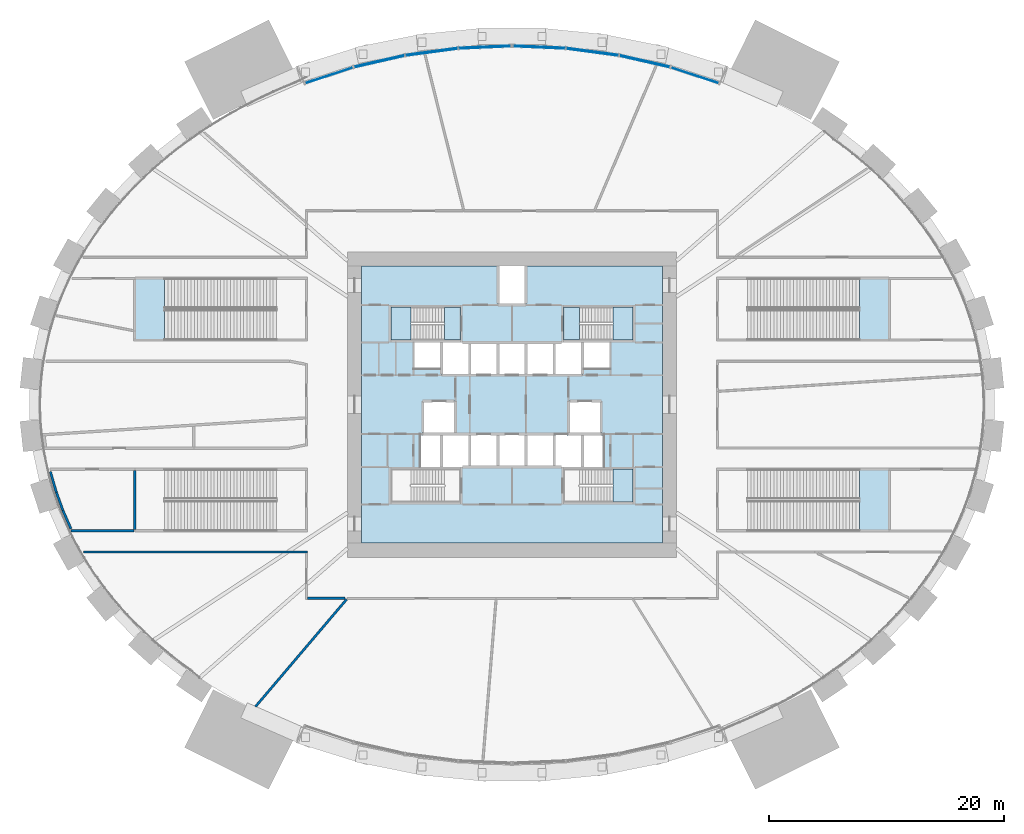
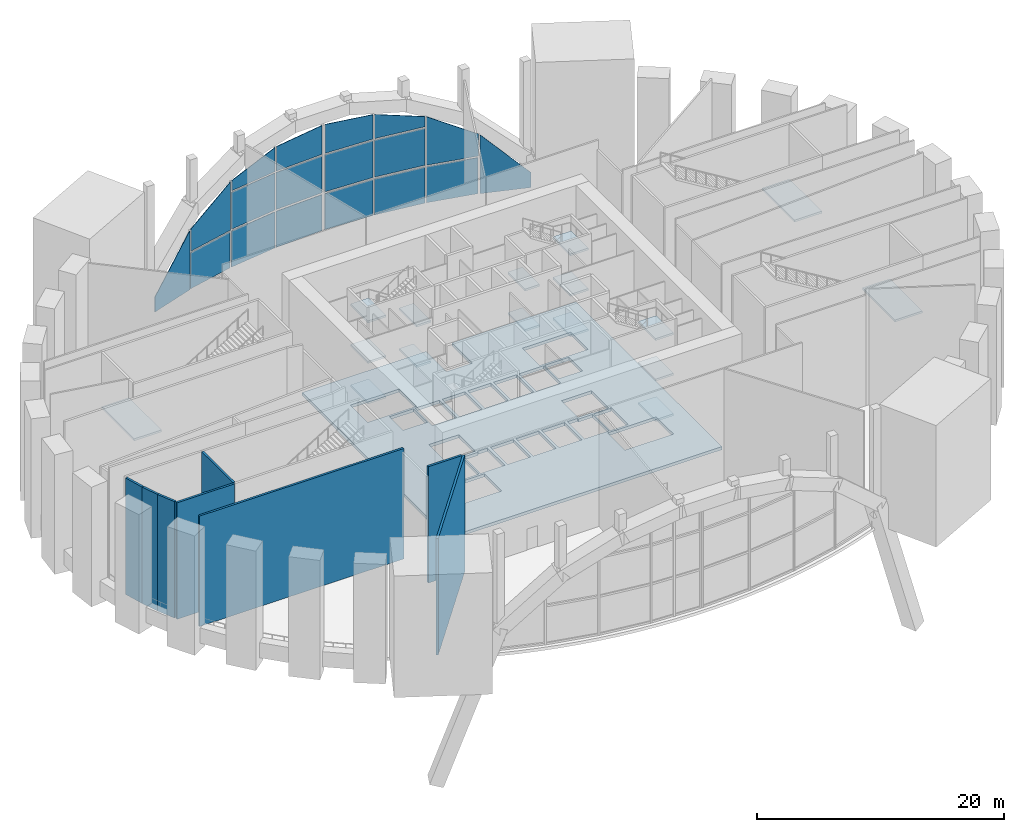
# One storey, part 6 of 21: 18 plates, 17 slabs, 8 walls, 8 elements without a shape of their own.
"""IFC4 building model written with IfcOpenShell, lengths in metres."""

from ifc_helpers import new_model, si_unit, direction, frame, frame_2d, origin, origin_2d, place, context, subcontext, project, spatial, polyline, rectangle, outline, extrude, source, transform, mapped, material, layer, layer_set, type_object, element, aggregate, save


model = new_model("IFC4")

# Units and contexts
model_context = context("Model", 3, precision=1e-05, world=origin(), true_north=direction((0.0, 1.0)))
body_context = subcontext(model_context, "Body", "Model", "MODEL_VIEW")
ifc_project = project(units=[si_unit("LENGTHUNIT", "METRE"), si_unit("AREAUNIT", "SQUARE_METRE"), si_unit("VOLUMEUNIT", "CUBIC_METRE"), si_unit("PLANEANGLEUNIT", "RADIAN"), si_unit("MASSUNIT", "GRAM", prefix="KILO")], contexts=[model_context])

# Site, building, storey
site_placement = place(None, origin())
site = spatial("IfcSite", under=ifc_project, at=site_placement, CompositionType="ELEMENT")
building_placement = place(site_placement, origin())
building = spatial("IfcBuilding", under=site, at=building_placement, Name="Embergate Tower", CompositionType="ELEMENT")
storey_placement = place(building_placement, frame((0.0, 0.0, 12.0)))
storey = spatial("IfcBuildingStorey", under=building, at=storey_placement, Name="L01", CompositionType="ELEMENT", Elevation=12.0)

# Curtain wall, plates
ifc_material_1 = material(Name="Aluminium and glass", Category="aluminium")
curtain_wall_type = type_object("IfcCurtainWallType", Name="Portal infill glazing", PredefinedType="NOTDEFINED", material=ifc_material_1)
curtain_wall_1_placement = place(storey_placement, origin())
curtain_wall_1 = element("IfcCurtainWall", 1, at=curtain_wall_1_placement, inside=storey, type_object=curtain_wall_type, Name="Portal infill glazing N 1", ObjectType="PORTAL INFILL GLAZING", PredefinedType="USERDEFINED")
ifc_material_2 = material(Name="Triple glazing, low-emissivity coating", Category="glass")
ifc_layer_1 = layer(ifc_material_2, 0.0458984375)
ifc_layer_set_1 = layer_set([ifc_layer_1], Name="Triple glazing, low-emissivity coating")
plate_type = type_object("IfcPlateType", Name="Portal glazing unit", PredefinedType="CURTAIN_PANEL", material=ifc_layer_set_1)
shared_shape_1 = source(origin(), body_context, "Body", "SweptSolid", [
    extrude(outline(polyline([(0.0, 0.0), (4.230712890625, 0.0), (4.230712890625, 5.82861328125), (0.0, 1.468994140625), (0.0, 0.0)])), origin(), (0.0, 0.0, -1.0), 0.0458984375),
])
plate_1_placement = place(storey_placement, frame((17.584716796875, 27.391845703125, 0.179931640625), z_axis=(0.311046642239, 0.950394647687, 0.0), x_axis=(-0.950394647687, 0.311046642239, 0.0)))
plate_1 = element("IfcPlate", 2, at=plate_1_placement, type_object=plate_type, Name="CW panel 1.1", PredefinedType="CURTAIN_PANEL", context=body_context, shape_type="MappedRepresentation", body=[
    mapped(shared_shape_1, transform((0.0, 0.0, 0.0))),
])
shared_shape_2 = source(origin(), body_context, "Body", "SweptSolid", [
    extrude(rectangle(XDim=4.37255859375, YDim=0.0458984375, at=origin_2d()), origin(), (0.0, 0.0, 1.0), 3.563232421875),
])
plate_2_placement = place(storey_placement, frame((11.304443359375, 29.25146484375, 0.18017578125), z_axis=(0.0, 0.0, 1.0), x_axis=(-0.975124214151, 0.221659123379, 0.0)))
plate_2 = element("IfcPlate", 3, at=plate_2_placement, type_object=plate_type, Name="CW panel 2.1", PredefinedType="CURTAIN_PANEL", context=body_context, shape_type="MappedRepresentation", body=[
    mapped(shared_shape_2, transform((0.0, 0.0, 0.0))),
])

# Curtain wall, plate
curtain_wall_2_placement = place(storey_placement, origin())
curtain_wall_2 = element("IfcCurtainWall", 4, at=curtain_wall_2_placement, inside=storey, type_object=curtain_wall_type, Name="Portal infill glazing N 2", ObjectType="PORTAL INFILL GLAZING", PredefinedType="USERDEFINED")
plate_3_placement = place(storey_placement, frame((-11.304443359375, 29.25146484375, 0.18017578125), z_axis=(0.0, 0.0, 1.0), x_axis=(-0.975124214151, -0.221659123379, 0.0)))
plate_3 = element("IfcPlate", 5, at=plate_3_placement, type_object=plate_type, Name="CW panel 3.1", PredefinedType="CURTAIN_PANEL", context=body_context, shape_type="MappedRepresentation", body=[
    mapped(shared_shape_2, transform((0.0, 0.0, 0.0))),
])

# Plate
shared_shape_3 = source(origin(), body_context, "Body", "SweptSolid", [
    extrude(outline(polyline([(0.0, 0.0), (4.372802734375, 0.0), (4.372802734375, 4.783447265625), (0.0, 2.187255859375), (0.0, 0.0)])), origin(), (0.0, 0.0, -1.0), 0.0458984375),
])
plate_4_placement = place(storey_placement, frame((13.431396484375, 28.744384765625, 3.92333984375), z_axis=(0.221657301696, 0.975124628242, 0.0), x_axis=(-0.975124628242, 0.221657301696, 0.0)))
plate_4 = element("IfcPlate", 6, at=plate_4_placement, type_object=plate_type, Name="CW panel 2.2", PredefinedType="CURTAIN_PANEL", context=body_context, shape_type="MappedRepresentation", body=[
    mapped(shared_shape_3, transform((0.0, 0.0, 0.0))),
])

shared_shape_4 = source(origin(), body_context, "Body", "SweptSolid", [
    extrude(rectangle(XDim=4.422119140625, YDim=0.0458984375, at=origin_2d()), origin(), (0.0, 0.0, 1.0), 3.563232421875),
])
plate_5_placement = place(storey_placement, frame((6.843505859375, 30.054443359375, 0.18017578125), z_axis=(0.0, 0.0, 1.0), x_axis=(-0.991148472313, 0.132758072563, 0.0)))
plate_5 = element("IfcPlate", 7, at=plate_5_placement, type_object=plate_type, Name="CW panel 3.1", PredefinedType="CURTAIN_PANEL", context=body_context, shape_type="MappedRepresentation", body=[
    mapped(shared_shape_4, transform((0.0, 0.0, 0.0))),
])

plate_6_placement = place(storey_placement, frame((-6.843505859375, 30.054443359375, 0.18017578125), z_axis=(0.0, 0.0, 1.0), x_axis=(-0.991148472313, -0.132758072563, 0.0)))
plate_6 = element("IfcPlate", 8, at=plate_6_placement, type_object=plate_type, Name="CW panel 2.1", PredefinedType="CURTAIN_PANEL", context=body_context, shape_type="MappedRepresentation", body=[
    mapped(shared_shape_4, transform((0.0, 0.0, 0.0))),
])

shared_shape_5 = source(origin(), body_context, "Body", "SweptSolid", [
    extrude(rectangle(XDim=4.422119140625, YDim=0.0458984375, at=origin_2d()), origin(), (0.0, 0.0, 1.0), 3.6533203125),
])
plate_7_placement = place(storey_placement, frame((6.843505859375, 30.054443359375, 3.92333984375), z_axis=(0.0, 0.0, 1.0), x_axis=(-0.991148472313, 0.132758072563, 0.0)))
plate_7 = element("IfcPlate", 9, at=plate_7_placement, type_object=plate_type, Name="CW panel 3.2", PredefinedType="CURTAIN_PANEL", context=body_context, shape_type="MappedRepresentation", body=[
    mapped(shared_shape_5, transform((0.0, 0.0, 0.0))),
])

plate_8_placement = place(storey_placement, frame((-6.843505859375, 30.054443359375, 3.92333984375), z_axis=(0.0, 0.0, 1.0), x_axis=(-0.991148472313, -0.132758072563, 0.0)))
plate_8 = element("IfcPlate", 10, at=plate_8_placement, type_object=plate_type, Name="CW panel 2.2", PredefinedType="CURTAIN_PANEL", context=body_context, shape_type="MappedRepresentation", body=[
    mapped(shared_shape_5, transform((0.0, 0.0, 0.0))),
])

shared_shape_6 = source(origin(), body_context, "Body", "SweptSolid", [
    extrude(outline(polyline([(0.0, 0.0), (4.422119140625, 0.0), (4.422119140625, 2.38671875), (0.0, 1.00439453125), (0.0, 0.0)])), origin(), (0.0, 0.0, -1.0), 0.0458984375),
])
plate_9_placement = place(storey_placement, frame((9.031982421875, 29.738037109375, 7.756591796875), z_axis=(0.13277483845, 0.991146226485, 0.0), x_axis=(-0.991146226485, 0.13277483845, 0.0)))
plate_9 = element("IfcPlate", 11, at=plate_9_placement, type_object=plate_type, Name="CW panel 3.3", PredefinedType="CURTAIN_PANEL", context=body_context, shape_type="MappedRepresentation", body=[
    mapped(shared_shape_6, transform((0.0, 0.0, 0.0))),
])

shared_shape_7 = source(origin(), body_context, "Body", "SweptSolid", [
    extrude(rectangle(XDim=4.377197265625, YDim=0.0458984375, at=origin_2d()), origin(), (0.0, 0.0, 1.0), 3.563232421875),
])
plate_10_placement = place(storey_placement, frame((2.326416015625, 30.45703125, 0.18017578125), z_axis=(0.0, 0.0, 1.0), x_axis=(-0.99902223858, 0.044210483177, 0.0)))
plate_10 = element("IfcPlate", 12, at=plate_10_placement, type_object=plate_type, Name="CW panel 4.1", PredefinedType="CURTAIN_PANEL", context=body_context, shape_type="MappedRepresentation", body=[
    mapped(shared_shape_7, transform((0.0, 0.0, 0.0))),
])

plate_11_placement = place(storey_placement, frame((-2.326416015625, 30.45703125, 0.18017578125), z_axis=(0.0, 0.0, 1.0), x_axis=(-0.99902223858, -0.044210483177, 0.0)))
plate_11 = element("IfcPlate", 13, at=plate_11_placement, type_object=plate_type, Name="CW panel 1.1", PredefinedType="CURTAIN_PANEL", context=body_context, shape_type="MappedRepresentation", body=[
    mapped(shared_shape_7, transform((0.0, 0.0, 0.0))),
])

shared_shape_8 = source(origin(), body_context, "Body", "SweptSolid", [
    extrude(rectangle(XDim=4.377197265625, YDim=0.0458984375, at=origin_2d()), origin(), (0.0, 0.0, 1.0), 3.6533203125),
])
plate_12_placement = place(storey_placement, frame((2.326416015625, 30.45703125, 3.92333984375), z_axis=(0.0, 0.0, 1.0), x_axis=(-0.99902223858, 0.044210483177, 0.0)))
plate_12 = element("IfcPlate", 14, at=plate_12_placement, type_object=plate_type, Name="CW panel 4.2", PredefinedType="CURTAIN_PANEL", context=body_context, shape_type="MappedRepresentation", body=[
    mapped(shared_shape_8, transform((0.0, 0.0, 0.0))),
])

plate_13_placement = place(storey_placement, frame((-2.326416015625, 30.45703125, 3.92333984375), z_axis=(0.0, 0.0, 1.0), x_axis=(-0.99902223858, -0.044210483177, 0.0)))
plate_13 = element("IfcPlate", 15, at=plate_13_placement, type_object=plate_type, Name="CW panel 1.2", PredefinedType="CURTAIN_PANEL", context=body_context, shape_type="MappedRepresentation", body=[
    mapped(shared_shape_8, transform((0.0, 0.0, 0.0))),
])

shared_shape_9 = source(origin(), body_context, "Body", "SweptSolid", [
    extrude(outline(polyline([(0.0, 0.0), (4.377197265625, 0.0), (4.377197265625, 2.8583984375), (0.0, 2.417724609375), (0.0, 0.0)])), origin(), (0.0, 0.0, -1.0), 0.0458984375),
])
plate_14_placement = place(storey_placement, frame((4.51171875, 30.33740234375, 7.756591796875), z_axis=(0.044175469804, 0.999023787438, 0.0), x_axis=(-0.999023787438, 0.044175469804, 0.0)))
plate_14 = element("IfcPlate", 16, at=plate_14_placement, type_object=plate_type, Name="CW panel 4.3", PredefinedType="CURTAIN_PANEL", context=body_context, shape_type="MappedRepresentation", body=[
    mapped(shared_shape_9, transform((0.0, 0.0, 0.0))),
])

aggregate(curtain_wall_1, [plate_1, plate_2, plate_4, plate_5, plate_7, plate_9, plate_10, plate_12, plate_14])

shared_shape_10 = source(origin(), body_context, "Body", "SweptSolid", [
    extrude(outline(polyline([(0.0, 0.0), (4.377197265625, 0.0), (4.377197265625, 2.417724609375), (0.0, 2.8583984375), (0.0, 0.0)])), origin(), (0.0, 0.0, -1.0), 0.0458984375),
])
plate_15_placement = place(storey_placement, frame((-0.138916015625, 30.53076171875, 7.756591796875), z_axis=(-0.044175469804, 0.999023787438, 0.0), x_axis=(-0.999023787438, -0.044175469804, 0.0)))
plate_15 = element("IfcPlate", 17, at=plate_15_placement, type_object=plate_type, Name="CW panel 1.3", PredefinedType="CURTAIN_PANEL", context=body_context, shape_type="MappedRepresentation", body=[
    mapped(shared_shape_10, transform((0.0, 0.0, 0.0))),
])

shared_shape_11 = source(origin(), body_context, "Body", "SweptSolid", [
    extrude(outline(polyline([(0.0, 0.0), (4.422119140625, 0.0), (4.422119140625, 1.00439453125), (0.0, 2.38671875), (0.0, 0.0)])), origin(), (0.0, 0.0, -1.0), 0.0458984375),
])
plate_16_placement = place(storey_placement, frame((-4.64892578125, 30.3251953125, 7.756591796875), z_axis=(-0.13277483845, 0.991146226485, 0.0), x_axis=(-0.991146226485, -0.13277483845, 0.0)))
plate_16 = element("IfcPlate", 18, at=plate_16_placement, type_object=plate_type, Name="CW panel 2.3", PredefinedType="CURTAIN_PANEL", context=body_context, shape_type="MappedRepresentation", body=[
    mapped(shared_shape_11, transform((0.0, 0.0, 0.0))),
])

shared_shape_12 = source(origin(), body_context, "Body", "SweptSolid", [
    extrude(outline(polyline([(0.0, 0.0), (4.372802734375, 0.0), (4.372802734375, 2.187255859375), (0.0, 4.783447265625), (0.0, 0.0)])), origin(), (0.0, 0.0, -1.0), 0.0458984375),
])
plate_17_placement = place(storey_placement, frame((-9.16748046875, 29.713623046875, 3.92333984375), z_axis=(-0.221657301696, 0.975124628242, 0.0), x_axis=(-0.975124628242, -0.221657301696, 0.0)))
plate_17 = element("IfcPlate", 19, at=plate_17_placement, type_object=plate_type, Name="CW panel 3.2", PredefinedType="CURTAIN_PANEL", context=body_context, shape_type="MappedRepresentation", body=[
    mapped(shared_shape_12, transform((0.0, 0.0, 0.0))),
])

shared_shape_13 = source(origin(), body_context, "Body", "SweptSolid", [
    extrude(outline(polyline([(0.0, 0.0), (4.230712890625, 0.0), (4.230712890625, 1.468994140625), (0.0, 5.82861328125), (0.0, 0.0)])), origin(), (0.0, 0.0, -1.0), 0.0458984375),
])
plate_18_placement = place(storey_placement, frame((-13.56396484375, 28.707763671875, 0.179931640625), z_axis=(-0.311046642239, 0.950394647687, 0.0), x_axis=(-0.950394647687, -0.311046642239, 0.0)))
plate_18 = element("IfcPlate", 20, at=plate_18_placement, type_object=plate_type, Name="CW panel 4.1", PredefinedType="CURTAIN_PANEL", context=body_context, shape_type="MappedRepresentation", body=[
    mapped(shared_shape_13, transform((0.0, 0.0, 0.0))),
])

aggregate(curtain_wall_2, [plate_11, plate_13, plate_15, plate_6, plate_8, plate_16, plate_3, plate_17, plate_18])

# Stair, slabs
ifc_material_3 = material(Name="Exit stair")
stair_type_1 = type_object("IfcStairType", Name="Exit stair", PredefinedType="HALF_TURN_STAIR", material=ifc_material_3)
stair_1_placement = place(storey_placement, origin())
stair_1 = element("IfcStair", 21, at=stair_1_placement, inside=storey, type_object=stair_type_1, Name="L01 Exit stair 1", PredefinedType="HALF_TURN_STAIR")
ifc_material_4 = material(Name="Concrete C40", Category="concrete")
ifc_layer_2 = layer(ifc_material_4, 0.199951171875)
ifc_layer_set_2 = layer_set([ifc_layer_2], Name="Concrete C40")
slab_type_1 = type_object("IfcSlabType", Name="Stair landing reinforced concrete", PredefinedType="LANDING", material=ifc_layer_set_2)
shared_shape_14 = source(origin(), body_context, "Body", "SweptSolid", [
    extrude(outline(polyline([(0.0, 0.0), (1.68994140625, 0.0), (1.68994140625, 2.800048828125), (0.0, 2.800048828125), (0.0, 0.0)])), origin(), (0.0, 0.0, 1.0), 0.199951171875),
])
slab_1_placement = place(storey_placement, frame((-10.300048828125, 5.5, 1.800048828125)))
slab_1 = element("IfcSlab", 22, at=slab_1_placement, type_object=slab_type_1, Name="ST1 landing 1", PredefinedType="LANDING", context=body_context, shape_type="MappedRepresentation", body=[
    mapped(shared_shape_14, transform((0.0, 0.0, 0.0))),
])
slab_2_placement = place(storey_placement, frame((-10.300048828125, 5.5, 5.800048828125)))
slab_2 = element("IfcSlab", 23, at=slab_2_placement, type_object=slab_type_1, Name="ST1 landing 3", PredefinedType="LANDING", context=body_context, shape_type="MappedRepresentation", body=[
    mapped(shared_shape_14, transform((0.0, 0.0, 0.0))),
])
slab_3_placement = place(storey_placement, frame((-10.300048828125, 5.5, 9.800048828125)))
slab_3 = element("IfcSlab", 24, at=slab_3_placement, type_object=slab_type_1, Name="ST1 landing 5", PredefinedType="LANDING", context=body_context, shape_type="MappedRepresentation", body=[
    mapped(shared_shape_14, transform((0.0, 0.0, 0.0))),
])

stair_2_placement = place(storey_placement, origin())
stair_2 = element("IfcStair", 25, at=stair_2_placement, inside=storey, type_object=stair_type_1, Name="L01 Exit stair 2", PredefinedType="HALF_TURN_STAIR")
slab_4_placement = place(storey_placement, frame((8.610107421875, 5.5, 1.800048828125)))
slab_4 = element("IfcSlab", 26, at=slab_4_placement, type_object=slab_type_1, Name="ST2 landing 1", PredefinedType="LANDING", context=body_context, shape_type="MappedRepresentation", body=[
    mapped(shared_shape_14, transform((0.0, 0.0, 0.0))),
])
slab_5_placement = place(storey_placement, frame((8.610107421875, 5.5, 5.800048828125)))
slab_5 = element("IfcSlab", 27, at=slab_5_placement, type_object=slab_type_1, Name="ST2 landing 3", PredefinedType="LANDING", context=body_context, shape_type="MappedRepresentation", body=[
    mapped(shared_shape_14, transform((0.0, 0.0, 0.0))),
])
slab_6_placement = place(storey_placement, frame((8.610107421875, 5.5, 9.800048828125)))
slab_6 = element("IfcSlab", 28, at=slab_6_placement, type_object=slab_type_1, Name="ST2 landing 5", PredefinedType="LANDING", context=body_context, shape_type="MappedRepresentation", body=[
    mapped(shared_shape_14, transform((0.0, 0.0, 0.0))),
])

stair_3_placement = place(storey_placement, origin())
stair_3 = element("IfcStair", 29, at=stair_3_placement, inside=storey, type_object=stair_type_1, Name="L01 Exit stair 4", PredefinedType="HALF_TURN_STAIR")
slab_7_placement = place(storey_placement, frame((8.610107421875, -8.300048828125, 1.800048828125)))
slab_7 = element("IfcSlab", 30, at=slab_7_placement, type_object=slab_type_1, Name="ST4 landing 1", PredefinedType="LANDING", context=body_context, shape_type="MappedRepresentation", body=[
    mapped(shared_shape_14, transform((0.0, 0.0, 0.0))),
])
slab_8_placement = place(storey_placement, frame((8.610107421875, -8.300048828125, 5.800048828125)))
slab_8 = element("IfcSlab", 31, at=slab_8_placement, type_object=slab_type_1, Name="ST4 landing 3", PredefinedType="LANDING", context=body_context, shape_type="MappedRepresentation", body=[
    mapped(shared_shape_14, transform((0.0, 0.0, 0.0))),
])
slab_9_placement = place(storey_placement, frame((8.610107421875, -8.300048828125, 9.800048828125)))
slab_9 = element("IfcSlab", 32, at=slab_9_placement, type_object=slab_type_1, Name="ST4 landing 5", PredefinedType="LANDING", context=body_context, shape_type="MappedRepresentation", body=[
    mapped(shared_shape_14, transform((0.0, 0.0, 0.0))),
])
aggregate(stair_3, [slab_7, slab_8, slab_9])

# Slab
shared_shape_15 = source(origin(), body_context, "Body", "SweptSolid", [
    extrude(outline(polyline([(0.0, 0.0), (1.35009765625, 0.0), (1.35009765625, 2.800048828125), (0.0, 2.800048828125), (0.0, 0.0)])), origin(), (0.0, 0.0, 1.0), 0.199951171875),
])
slab_10_placement = place(storey_placement, frame((-5.75, 5.5, 3.800048828125)))
slab_10 = element("IfcSlab", 33, at=slab_10_placement, type_object=slab_type_1, Name="ST1 landing 2", PredefinedType="LANDING", context=body_context, shape_type="MappedRepresentation", body=[
    mapped(shared_shape_15, transform((0.0, 0.0, 0.0))),
])

slab_11_placement = place(storey_placement, frame((-5.75, 5.5, 7.800048828125)))
slab_11 = element("IfcSlab", 34, at=slab_11_placement, type_object=slab_type_1, Name="ST1 landing 4", PredefinedType="LANDING", context=body_context, shape_type="MappedRepresentation", body=[
    mapped(shared_shape_15, transform((0.0, 0.0, 0.0))),
])

aggregate(stair_1, [slab_1, slab_10, slab_2, slab_11, slab_3])

slab_12_placement = place(storey_placement, frame((4.39990234375, 5.5, 3.800048828125)))
slab_12 = element("IfcSlab", 35, at=slab_12_placement, type_object=slab_type_1, Name="ST2 landing 2", PredefinedType="LANDING", context=body_context, shape_type="MappedRepresentation", body=[
    mapped(shared_shape_15, transform((0.0, 0.0, 0.0))),
])

slab_13_placement = place(storey_placement, frame((4.39990234375, 5.5, 7.800048828125)))
slab_13 = element("IfcSlab", 36, at=slab_13_placement, type_object=slab_type_1, Name="ST2 landing 4", PredefinedType="LANDING", context=body_context, shape_type="MappedRepresentation", body=[
    mapped(shared_shape_15, transform((0.0, 0.0, 0.0))),
])

aggregate(stair_2, [slab_4, slab_12, slab_5, slab_13, slab_6])

ifc_layer_3 = layer(ifc_material_4, 0.300048828125)
ifc_layer_set_3 = layer_set([ifc_layer_3], Name="Concrete C40")
slab_type_2 = type_object("IfcSlabType", Name="Core floor slab 300 reinforced concrete", PredefinedType="FLOOR", material=ifc_layer_set_3)
shared_shape_16 = source(origin(), body_context, "Body", "SweptSolid", [
    extrude(outline(polyline([(0.0, 0.0), (25.60009765625, 0.0), (25.60009765625, 23.60009765625), (14.0, 23.60009765625), (14.0, 20.300048828125), (11.60009765625, 20.300048828125), (11.60009765625, 23.60009765625), (0.0, 23.60009765625), (0.0, 0.0)]), holes=[polyline([(2.5, 3.5), (2.5, 6.300048828125), (7.0400390625, 6.300048828125), (7.0400390625, 3.5), (2.5, 3.5)]), polyline([(18.56005859375, 3.5), (18.56005859375, 6.300048828125), (23.10009765625, 6.300048828125), (23.10009765625, 3.5), (18.56005859375, 3.5)]), polyline([(5.0, 6.5), (5.0, 9.300048828125), (5.074951171875, 9.300048828125), (5.074951171875, 9.175048828125), (6.675048828125, 9.175048828125), (6.675048828125, 6.5), (5.0, 6.5)]), polyline([(6.800048828125, 6.5), (6.800048828125, 9.175048828125), (8.125, 9.175048828125), (8.125, 9.300048828125), (9.074951171875, 9.300048828125), (9.074951171875, 6.5), (6.800048828125, 6.5)]), polyline([(9.324951171875, 6.5), (9.324951171875, 9.300048828125), (11.47509765625, 9.300048828125), (11.47509765625, 6.5), (9.324951171875, 6.5)]), polyline([(11.72509765625, 6.5), (11.72509765625, 9.300048828125), (13.875, 9.300048828125), (13.875, 6.5), (11.72509765625, 6.5)]), polyline([(14.125, 6.5), (14.125, 9.300048828125), (16.275146484375, 9.300048828125), (16.275146484375, 6.5), (14.125, 6.5)]), polyline([(16.525146484375, 6.5), (16.525146484375, 9.300048828125), (17.47509765625, 9.300048828125), (17.47509765625, 9.175048828125), (18.800048828125, 9.175048828125), (18.800048828125, 6.5), (16.525146484375, 6.5)]), polyline([(18.925048828125, 6.5), (18.925048828125, 9.175048828125), (20.525146484375, 9.175048828125), (20.525146484375, 9.300048828125), (20.60009765625, 9.300048828125), (20.60009765625, 6.5), (18.925048828125, 6.5)]), polyline([(5.199951171875, 9.300048828125), (5.199951171875, 12.10009765625), (8.0, 12.10009765625), (8.0, 9.425048828125), (6.675048828125, 9.425048828125), (6.675048828125, 9.300048828125), (5.199951171875, 9.300048828125)]), polyline([(18.925048828125, 9.300048828125), (18.925048828125, 9.425048828125), (17.60009765625, 9.425048828125), (17.60009765625, 12.10009765625), (20.400146484375, 12.10009765625), (20.400146484375, 9.300048828125), (18.925048828125, 9.300048828125)]), polyline([(6.800048828125, 14.300048828125), (6.800048828125, 17.10009765625), (9.074951171875, 17.10009765625), (9.074951171875, 14.300048828125), (6.800048828125, 14.300048828125)]), polyline([(9.324951171875, 14.300048828125), (9.324951171875, 17.10009765625), (11.47509765625, 17.10009765625), (11.47509765625, 14.300048828125), (9.324951171875, 14.300048828125)]), polyline([(11.72509765625, 14.300048828125), (11.72509765625, 17.10009765625), (13.875, 17.10009765625), (13.875, 14.300048828125), (11.72509765625, 14.300048828125)]), polyline([(14.125, 14.300048828125), (14.125, 17.10009765625), (16.275146484375, 17.10009765625), (16.275146484375, 14.300048828125), (14.125, 14.300048828125)]), polyline([(16.525146484375, 14.300048828125), (16.525146484375, 17.10009765625), (18.800048828125, 17.10009765625), (18.800048828125, 14.300048828125), (16.525146484375, 14.300048828125)]), polyline([(4.400146484375, 14.900146484375), (4.400146484375, 17.10009765625), (6.675048828125, 17.10009765625), (6.675048828125, 14.900146484375), (4.400146484375, 14.900146484375)]), polyline([(18.925048828125, 14.900146484375), (18.925048828125, 17.10009765625), (21.199951171875, 17.10009765625), (21.199951171875, 14.900146484375), (18.925048828125, 14.900146484375)]), polyline([(2.5, 17.300048828125), (2.5, 20.10009765625), (7.0400390625, 20.10009765625), (7.0400390625, 17.300048828125), (2.5, 17.300048828125)]), polyline([(18.56005859375, 17.300048828125), (18.56005859375, 20.10009765625), (23.10009765625, 20.10009765625), (23.10009765625, 17.300048828125), (18.56005859375, 17.300048828125)])]), origin(), (0.0, 0.0, 1.0), 0.300048828125),
])
slab_14_placement = place(storey_placement, frame((-12.800048828125, -11.800048828125, -0.300048828125)))
element("IfcSlab", 37, at=slab_14_placement, inside=storey, type_object=slab_type_2, Name="Core floor slab", PredefinedType="FLOOR", context=body_context, shape_type="MappedRepresentation", body=[
    mapped(shared_shape_16, transform((0.0, 0.0, 0.0))),
])

# Stair, slab
stair_type_2 = type_object("IfcStairType", Name="Podium exit stair RC", PredefinedType="HALF_TURN_STAIR", material=ifc_material_4)
stair_4_placement = place(storey_placement, origin())
stair_4 = element("IfcStair", 38, at=stair_4_placement, inside=storey, type_object=stair_type_2, Name="L01 Podium exit stair 1", PredefinedType="HALF_TURN_STAIR")
ifc_layer_4 = layer(ifc_material_4, 0.199951171875)
ifc_layer_set_4 = layer_set([ifc_layer_4], Name="Concrete C40")
slab_type_3 = type_object("IfcSlabType", Name="Podium exit stair landing RC", PredefinedType="LANDING", material=ifc_layer_set_4)
shared_shape_17 = source(origin(), body_context, "Body", "SweptSolid", [
    extrude(outline(polyline([(0.0, 0.0), (2.550048828125, 0.0), (2.550048828125, 5.25), (0.0, 5.25), (0.0, 0.0)])), origin(), (0.0, 0.0, 1.0), 0.199951171875),
])
slab_15_placement = place(storey_placement, frame((29.570068359375, 5.5, 5.800048828125)))
slab_15 = element("IfcSlab", 39, at=slab_15_placement, type_object=slab_type_3, Name="P1 landing 1", PredefinedType="LANDING", context=body_context, shape_type="MappedRepresentation", body=[
    mapped(shared_shape_17, transform((0.0, 0.0, 0.0))),
])
aggregate(stair_4, [slab_15])

stair_5_placement = place(storey_placement, origin())
stair_5 = element("IfcStair", 40, at=stair_5_placement, inside=storey, type_object=stair_type_2, Name="L01 Podium exit stair 2", PredefinedType="HALF_TURN_STAIR")
slab_16_placement = place(storey_placement, frame((29.570068359375, -10.75, 5.800048828125)))
slab_16 = element("IfcSlab", 41, at=slab_16_placement, type_object=slab_type_3, Name="P2 landing 1", PredefinedType="LANDING", context=body_context, shape_type="MappedRepresentation", body=[
    mapped(shared_shape_17, transform((0.0, 0.0, 0.0))),
])
aggregate(stair_5, [slab_16])

stair_6_placement = place(storey_placement, origin())
stair_6 = element("IfcStair", 42, at=stair_6_placement, inside=storey, type_object=stair_type_2, Name="L01 Podium exit stair 3", PredefinedType="HALF_TURN_STAIR")
slab_17_placement = place(storey_placement, frame((-32.1201171875, 5.5, 5.800048828125)))
slab_17 = element("IfcSlab", 43, at=slab_17_placement, type_object=slab_type_3, Name="P3 landing 1", PredefinedType="LANDING", context=body_context, shape_type="MappedRepresentation", body=[
    mapped(shared_shape_17, transform((0.0, 0.0, 0.0))),
])
aggregate(stair_6, [slab_17])

# Walls
ifc_material_5 = material(Name="Blockwork, plastered", Category="masonry")
ifc_layer_5 = layer(ifc_material_5, 0.199951171875)
ifc_layer_set_5 = layer_set([ifc_layer_5], Name="Blockwork, plastered")
wall_type_1 = type_object("IfcWallType", Name="Partition wall 200 block", PredefinedType="PARTITIONING", material=ifc_layer_set_5)
shared_shape_18 = source(origin(), body_context, "Body", "SweptSolid", [
    extrude(rectangle(XDim=1.84130859375, YDim=0.199951171875, at=frame_2d((0.920654296875, 0.0))), origin(), (0.0, 0.0, 1.0), 11.5),
])
wall_1_placement = place(storey_placement, frame((-38.7958984375, -7.47412109375, 0.0), z_axis=(0.0, 0.0, 1.0), x_axis=(-0.277504300165, 0.960724395126, 0.0)))
element("IfcWall", 44, at=wall_1_placement, inside=storey, type_object=wall_type_1, Name="Partition 004", PredefinedType="PARTITIONING", context=body_context, shape_type="MappedRepresentation", body=[
    mapped(shared_shape_18, transform((0.0, 0.0, 0.0))),
])
shared_shape_19 = source(origin(), body_context, "Body", "SweptSolid", [
    extrude(rectangle(XDim=1.621826171875, YDim=0.199951171875, at=frame_2d((0.81103515625, 0.0))), origin(), (0.0, 0.0, 1.0), 11.5),
])
wall_2_placement = place(storey_placement, frame((-38.243896484375, -8.992919921875, 0.0), z_axis=(0.0, 0.0, 1.0), x_axis=(-0.340376830197, 0.940289111638, 0.0)))
element("IfcWall", 45, at=wall_2_placement, inside=storey, type_object=wall_type_1, Name="Partition 005", PredefinedType="PARTITIONING", context=body_context, shape_type="MappedRepresentation", body=[
    mapped(shared_shape_19, transform((0.0, 0.0, 0.0))),
])
shared_shape_20 = source(origin(), body_context, "Body", "SweptSolid", [
    extrude(rectangle(XDim=1.73193359375, YDim=0.199951171875, at=frame_2d((0.865966796875, 0.0))), origin(), (0.0, 0.0, 1.0), 11.5),
])
wall_3_placement = place(storey_placement, frame((-37.551025390625, -10.573974609375, 0.0), z_axis=(0.0, 0.0, 1.0), x_axis=(-0.401883406066, 0.915690847354, 0.0)))
element("IfcWall", 46, at=wall_3_placement, inside=storey, type_object=wall_type_1, Name="Partition 006", PredefinedType="PARTITIONING", context=body_context, shape_type="MappedRepresentation", body=[
    mapped(shared_shape_20, transform((0.0, 0.0, 0.0))),
])
ifc_layer_6 = layer(ifc_material_5, 0.199951171875)
ifc_layer_set_6 = layer_set([ifc_layer_6], Name="Blockwork, plastered")
wall_type_2 = type_object("IfcWallType", Name="Fire partition wall 200 block", PredefinedType="PARTITIONING", material=ifc_layer_set_6)
shared_shape_21 = source(origin(), body_context, "Body", "SweptSolid", [
    extrude(rectangle(XDim=19.090087890625, YDim=0.199951171875, at=frame_2d((9.544921875, 0.0))), origin(), (0.0, 0.0, 1.0), 10.912109375),
])
wall_4_placement = place(storey_placement, frame((-36.489990234375, -12.550048828125, 0.0), z_axis=(0.0, 0.0, 1.0), x_axis=(1.0, 0.0, 0.0)))
element("IfcWall", 47, at=wall_4_placement, inside=storey, type_object=wall_type_2, Name="Partition 008", PredefinedType="PARTITIONING", context=body_context, shape_type="MappedRepresentation", body=[
    mapped(shared_shape_21, transform((0.0, 0.0, 0.0))),
])
shared_shape_22 = source(origin(), body_context, "Body", "SweptSolid", [
    extrude(rectangle(XDim=5.375, YDim=0.199951171875, at=frame_2d((2.6875, 0.0))), origin(), (0.0, 0.0, 1.0), 11.5),
])
wall_5_placement = place(storey_placement, frame((-32.18408203125, -10.75, 0.0), z_axis=(0.0, 0.0, 1.0), x_axis=(-1.0, 0.0, 0.0)))
element("IfcWall", 48, at=wall_5_placement, inside=storey, type_object=wall_type_1, Name="Partition 009", PredefinedType="PARTITIONING", context=body_context, shape_type="MappedRepresentation", body=[
    mapped(shared_shape_22, transform((0.0, 0.0, 0.0))),
])
ifc_layer_7 = layer(ifc_material_4, 0.199951171875)
ifc_layer_set_7 = layer_set([ifc_layer_7], Name="Concrete C40")
wall_type_3 = type_object("IfcWallType", Name="Stair enclosure wall RC 200", PredefinedType="STANDARD", material=ifc_layer_set_7)
shared_shape_23 = source(origin(), body_context, "Body", "SweptSolid", [
    extrude(rectangle(XDim=5.02880859375, YDim=0.199951171875, at=frame_2d((2.514404296875, 0.0))), origin(), (0.0, 0.0, 1.0), 11.5),
])
wall_6_placement = place(storey_placement, frame((-32.1201171875, -5.60009765625, 0.0), z_axis=(0.0, 0.0, 1.0), x_axis=(0.0, -1.0, 0.0)))
element("IfcWall", 49, at=wall_6_placement, inside=storey, type_object=wall_type_3, Name="Stair wall 011", PredefinedType="STANDARD", context=body_context, shape_type="MappedRepresentation", body=[
    mapped(shared_shape_23, transform((0.0, 0.0, 0.0))),
])
shared_shape_24 = source(origin(), body_context, "Body", "SweptSolid", [
    extrude(rectangle(XDim=11.98828125, YDim=0.199951171875, at=frame_2d((5.994140625, 0.0))), origin(), (0.0, 0.0, 1.0), 11.5),
])
wall_7_placement = place(storey_placement, frame((-14.0791015625, -16.575927734375, 0.0), z_axis=(0.0, 0.0, 1.0), x_axis=(-0.647385320315, -0.762162874352, 0.0)))
element("IfcWall", 50, at=wall_7_placement, inside=storey, type_object=wall_type_2, Name="Partition 034", PredefinedType="PARTITIONING", context=body_context, shape_type="MappedRepresentation", body=[
    mapped(shared_shape_24, transform((0.0, 0.0, 0.0))),
])
shared_shape_25 = source(origin(), body_context, "Body", "SweptSolid", [
    extrude(rectangle(XDim=3.185791015625, YDim=0.199951171875, at=frame_2d((1.5927734375, 0.0))), origin(), (0.0, 0.0, 1.0), 11.5),
])
wall_8_placement = place(storey_placement, frame((-14.214111328125, -16.5, 0.0), z_axis=(0.0, 0.0, 1.0), x_axis=(-1.0, 0.0, 0.0)))
element("IfcWall", 51, at=wall_8_placement, inside=storey, type_object=wall_type_2, Name="Partition 035", PredefinedType="PARTITIONING", context=body_context, shape_type="MappedRepresentation", body=[
    mapped(shared_shape_25, transform((0.0, 0.0, 0.0))),
])

save(model, "model.ifc")
